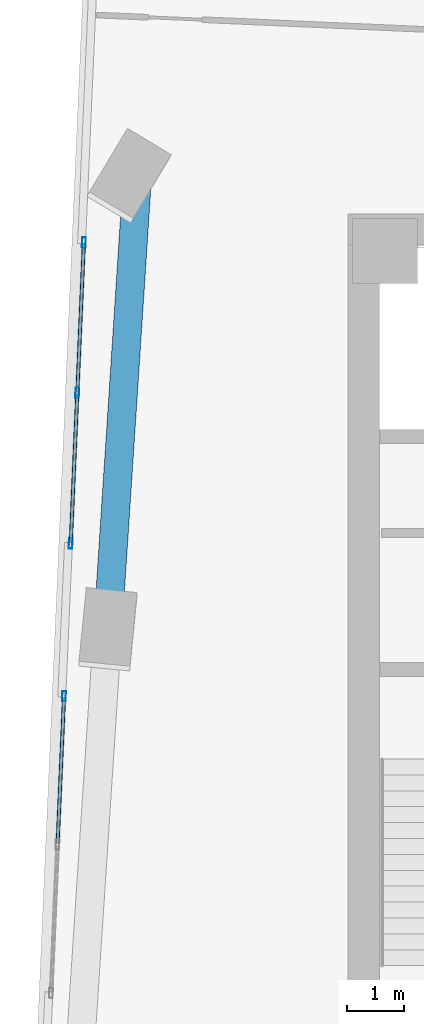
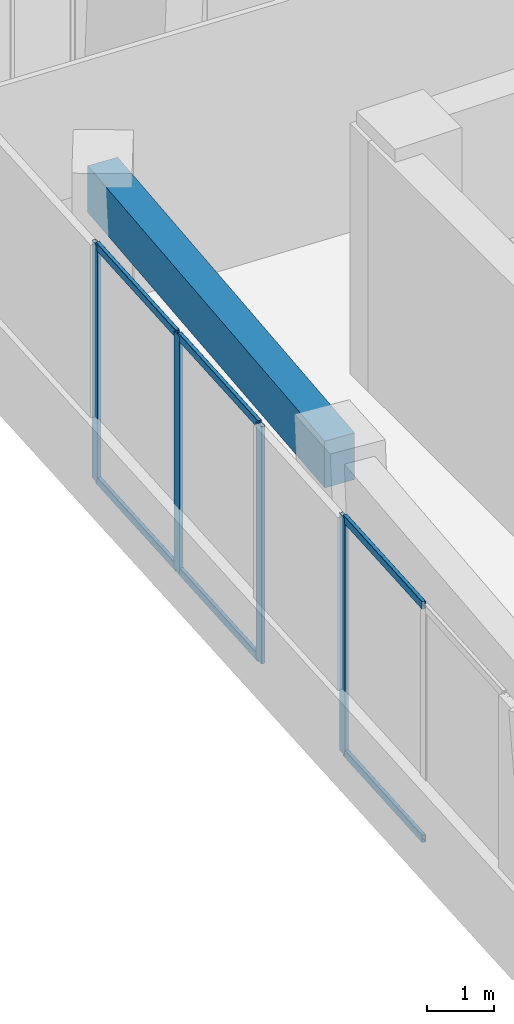
# One storey, part 7 of 27: 10 members, 1 beam, 2 elements without a shape of their own.
"""IFC4 building model written with IfcOpenShell, lengths in metres."""

from ifc_helpers import new_model, si_unit, direction, frame, origin, origin_2d, place, context, subcontext, project, spatial, rectangle, hollow_rectangle, extrude, source, transform, mapped, material, material_profile, profile_set, type_object, element, aggregate, save


model = new_model("IFC4")

# Units and contexts
model_context = context("Model", 3, precision=1e-05, world=origin(), true_north=direction((0.0, 1.0)))
body_context = subcontext(model_context, "Body", "Model", "MODEL_VIEW")
ifc_project = project(units=[si_unit("LENGTHUNIT", "METRE"), si_unit("AREAUNIT", "SQUARE_METRE"), si_unit("VOLUMEUNIT", "CUBIC_METRE"), si_unit("PLANEANGLEUNIT", "RADIAN"), si_unit("MASSUNIT", "GRAM", prefix="KILO")], contexts=[model_context])

# Site, building, storey
site_placement = place(None, origin())
site = spatial("IfcSite", under=ifc_project, at=site_placement, CompositionType="ELEMENT")
building_placement = place(site_placement, origin())
building = spatial("IfcBuilding", under=site, at=building_placement, Name="Torre Montelarca", CompositionType="ELEMENT")
storey_placement = place(building_placement, frame((0.0, 0.0, 37.60009765625)))
storey = spatial("IfcBuildingStorey", under=building, at=storey_placement, Name="L08", CompositionType="ELEMENT", Elevation=37.60009765625)

# Beam
ifc_material_1 = material(Name="Concrete C55/67", Category="concrete")
ifc_material_profile_1 = material_profile(ifc_material_1, rectangle(XDim=0.5, YDim=0.85009765625, at=origin_2d()), Name="RCB500X850", Category="concrete")
ifc_profile_set_1 = profile_set([ifc_material_profile_1], Name="Concrete C55/67")
beam_type = type_object("IfcBeamType", Name="BM-SP-RC850-EXT", PredefinedType="SPANDREL", material=ifc_profile_set_1)
shared_shape_1 = source(origin(), body_context, "Body", "SweptSolid", [
    extrude(rectangle(XDim=0.5, YDim=0.85009765625, at=origin_2d()), origin(), (0.0, 0.0, 1.0), 8.0),
])
beam_placement = place(storey_placement, frame((4.68603515625, 33.10205078125, 4.135009765625), z_axis=(0.065398870593, 0.997859202355, 0.0), x_axis=(-0.997859202355, 0.065398870593, 0.0)))
element("IfcBeam", 1, at=beam_placement, inside=storey, type_object=beam_type, Name="L08 Grid Girder Y 32.0-40.0 at X=4.7", PredefinedType="SPANDREL", context=body_context, shape_type="MappedRepresentation", body=[
    mapped(shared_shape_1, transform((0.0, 0.0, 0.0), scale=1.0)),
])

# Curtain wall, members
ifc_material_2 = material(Name="Insulated low-E laminated glass", Category="glass")
curtain_wall_type = type_object("IfcCurtainWallType", Name="CW-SYS-Z1", PredefinedType="USERDEFINED", material=ifc_material_2)
curtain_wall_1_placement = place(storey_placement, origin())
curtain_wall_1 = element("IfcCurtainWall", 2, at=curtain_wall_1_placement, inside=storey, type_object=curtain_wall_type, Name="L08 Curtain Wall Run CW-T3-L08-E10-B1", ObjectType="UNITISED GLAZING", PredefinedType="USERDEFINED")
ifc_material_3 = material(Name="Anodised aluminium AA 6063-T6", Category="aluminium")
ifc_material_profile_2 = material_profile(ifc_material_3, hollow_rectangle(XDim=0.06494140625, YDim=0.179931640625, WallThickness=0.00390625, InnerFilletRadius=0.00390625, OuterFilletRadius=0.008056640625, at=origin_2d()), Name="ALU65X180X4", Category="aluminium")
ifc_profile_set_2 = profile_set([ifc_material_profile_2], Name="Anodised aluminium AA 6063-T6")
member_type_1 = type_object("IfcMemberType", Name="CWM-ALU180", PredefinedType="MULLION", material=ifc_profile_set_2)
shared_shape_2 = source(origin(), body_context, "Body", "SweptSolid", [
    extrude(hollow_rectangle(XDim=0.06494140625, YDim=0.179931640625, WallThickness=0.00390625, InnerFilletRadius=0.00390625, OuterFilletRadius=0.008056640625, at=origin_2d()), origin(), (0.0, 0.0, 1.0), 4.31982421875),
])
member_1_placement = place(storey_placement, frame((4.244873046875, 39.597412109375, 0.0), z_axis=(0.0, 0.0, 1.0), x_axis=(0.999047781454, -0.043629466776, 0.0)))
member_1 = element("IfcMember", 3, at=member_1_placement, type_object=member_type_1, Name="CW mullion 1", PredefinedType="MULLION", context=body_context, shape_type="MappedRepresentation", body=[
    mapped(shared_shape_2, transform((0.0, 0.0, 0.0), scale=1.0)),
])
member_2_placement = place(storey_placement, frame((4.129150390625, 36.9462890625, 0.0), z_axis=(0.0, 0.0, 1.0), x_axis=(0.999047781454, -0.043629466776, 0.0)))
member_2 = element("IfcMember", 4, at=member_2_placement, type_object=member_type_1, Name="CW mullion 2", PredefinedType="MULLION", context=body_context, shape_type="MappedRepresentation", body=[
    mapped(shared_shape_2, transform((0.0, 0.0, 0.0), scale=1.0)),
])
member_3_placement = place(storey_placement, frame((4.013427734375, 34.294921875, 0.0), z_axis=(0.0, 0.0, 1.0), x_axis=(0.999047781454, -0.043629466776, 0.0)))
member_3 = element("IfcMember", 5, at=member_3_placement, type_object=member_type_1, Name="CW mullion 3", PredefinedType="MULLION", context=body_context, shape_type="MappedRepresentation", body=[
    mapped(shared_shape_2, transform((0.0, 0.0, 0.0), scale=1.0)),
])

# Curtain wall, member
curtain_wall_2_placement = place(storey_placement, origin())
curtain_wall_2 = element("IfcCurtainWall", 6, at=curtain_wall_2_placement, inside=storey, type_object=curtain_wall_type, Name="L08 Curtain Wall Run CW-T3-L08-E10-B2", ObjectType="UNITISED GLAZING", PredefinedType="USERDEFINED")
member_4_placement = place(storey_placement, frame((3.89599609375, 31.60498046875, 0.0), z_axis=(0.0, 0.0, 1.0), x_axis=(0.999048124627, -0.043621607944, 0.0)))
member_4 = element("IfcMember", 7, at=member_4_placement, type_object=member_type_1, Name="CW mullion 1", PredefinedType="MULLION", context=body_context, shape_type="MappedRepresentation", body=[
    mapped(shared_shape_2, transform((0.0, 0.0, 0.0), scale=1.0)),
])

# Member
ifc_material_profile_3 = material_profile(ifc_material_3, hollow_rectangle(XDim=0.06494140625, YDim=0.139892578125, WallThickness=0.00390625, InnerFilletRadius=0.00390625, OuterFilletRadius=0.008056640625, at=origin_2d()), Name="ALU65X140X4", Category="aluminium")
ifc_profile_set_3 = profile_set([ifc_material_profile_3], Name="Anodised aluminium AA 6063-T6")
member_type_2 = type_object("IfcMemberType", Name="CWT-ALU140", PredefinedType="USERDEFINED", material=ifc_profile_set_3)
shared_shape_3 = source(origin(), body_context, "Body", "SweptSolid", [
    extrude(hollow_rectangle(XDim=0.06494140625, YDim=0.139892578125, WallThickness=0.00390625, InnerFilletRadius=0.00390625, OuterFilletRadius=0.008056640625, at=origin_2d()), origin(), (0.0, 0.0, 1.0), 2.588623046875),
])
member_5_placement = place(storey_placement, frame((4.24365234375, 39.56494140625, 0.032470703125), z_axis=(-0.043666418893, -0.999046167032, 0.0), x_axis=(0.999046167032, -0.043666418893, 0.0)))
member_5 = element("IfcMember", 8, at=member_5_placement, type_object=member_type_2, Name="CW transom 1.1", ObjectType="TRANSOM", PredefinedType="USERDEFINED", context=body_context, shape_type="MappedRepresentation", body=[
    mapped(shared_shape_3, transform((0.0, 0.0, 0.0), scale=1.0)),
])

member_6_placement = place(storey_placement, frame((4.24365234375, 39.56494140625, 4.287353515625), z_axis=(-0.043666418893, -0.999046167032, 0.0), x_axis=(0.999046167032, -0.043666418893, 0.0)))
member_6 = element("IfcMember", 9, at=member_6_placement, type_object=member_type_2, Name="CW transom 1.2", ObjectType="TRANSOM", PredefinedType="USERDEFINED", context=body_context, shape_type="MappedRepresentation", body=[
    mapped(shared_shape_3, transform((0.0, 0.0, 0.0), scale=1.0)),
])

shared_shape_4 = source(origin(), body_context, "Body", "SweptSolid", [
    extrude(hollow_rectangle(XDim=0.06494140625, YDim=0.139892578125, WallThickness=0.00390625, InnerFilletRadius=0.00390625, OuterFilletRadius=0.008056640625, at=origin_2d()), origin(), (0.0, 0.0, 1.0), 2.5888671875),
])
member_7_placement = place(storey_placement, frame((4.127685546875, 36.913818359375, 0.032470703125), z_axis=(-0.043568181108, -0.999050455981, 0.0), x_axis=(0.999050455981, -0.043568181108, 0.0)))
member_7 = element("IfcMember", 10, at=member_7_placement, type_object=member_type_2, Name="CW transom 2.1", ObjectType="TRANSOM", PredefinedType="USERDEFINED", context=body_context, shape_type="MappedRepresentation", body=[
    mapped(shared_shape_4, transform((0.0, 0.0, 0.0), scale=1.0)),
])

member_8_placement = place(storey_placement, frame((4.127685546875, 36.913818359375, 4.287353515625), z_axis=(-0.043568181108, -0.999050455981, 0.0), x_axis=(0.999050455981, -0.043568181108, 0.0)))
member_8 = element("IfcMember", 11, at=member_8_placement, type_object=member_type_2, Name="CW transom 2.2", ObjectType="TRANSOM", PredefinedType="USERDEFINED", context=body_context, shape_type="MappedRepresentation", body=[
    mapped(shared_shape_4, transform((0.0, 0.0, 0.0), scale=1.0)),
])

aggregate(curtain_wall_1, [member_1, member_2, member_3, member_5, member_6, member_7, member_8])

shared_shape_5 = source(origin(), body_context, "Body", "SweptSolid", [
    extrude(hollow_rectangle(XDim=0.06494140625, YDim=0.139892578125, WallThickness=0.00390625, InnerFilletRadius=0.00390625, OuterFilletRadius=0.008056640625, at=origin_2d()), origin(), (0.0, 0.0, 1.0), 2.55029296875),
])
member_9_placement = place(storey_placement, frame((3.89453125, 31.572509765625, 0.032470703125), z_axis=(-0.04365324977, -0.999046742542, 0.0), x_axis=(0.999046742542, -0.04365324977, 0.0)))
member_9 = element("IfcMember", 12, at=member_9_placement, type_object=member_type_2, Name="CW transom 1.1", ObjectType="TRANSOM", PredefinedType="USERDEFINED", context=body_context, shape_type="MappedRepresentation", body=[
    mapped(shared_shape_5, transform((0.0, 0.0, 0.0), scale=1.0)),
])

member_10_placement = place(storey_placement, frame((3.89453125, 31.572509765625, 4.287353515625), z_axis=(-0.04365324977, -0.999046742542, 0.0), x_axis=(0.999046742542, -0.04365324977, 0.0)))
member_10 = element("IfcMember", 13, at=member_10_placement, type_object=member_type_2, Name="CW transom 1.2", ObjectType="TRANSOM", PredefinedType="USERDEFINED", context=body_context, shape_type="MappedRepresentation", body=[
    mapped(shared_shape_5, transform((0.0, 0.0, 0.0), scale=1.0)),
])

aggregate(curtain_wall_2, [member_4, member_9, member_10])

save(model, "model.ifc")
